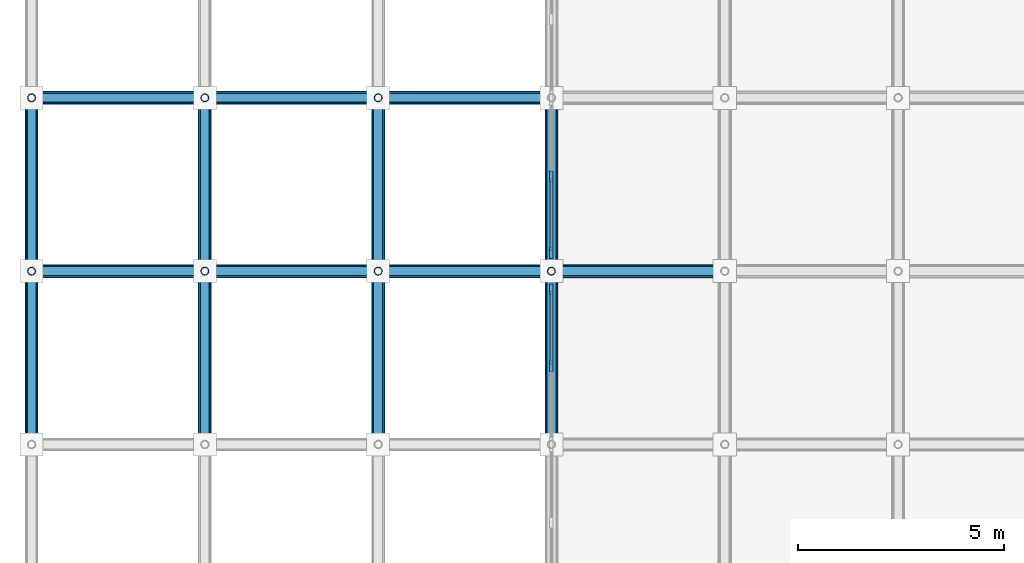
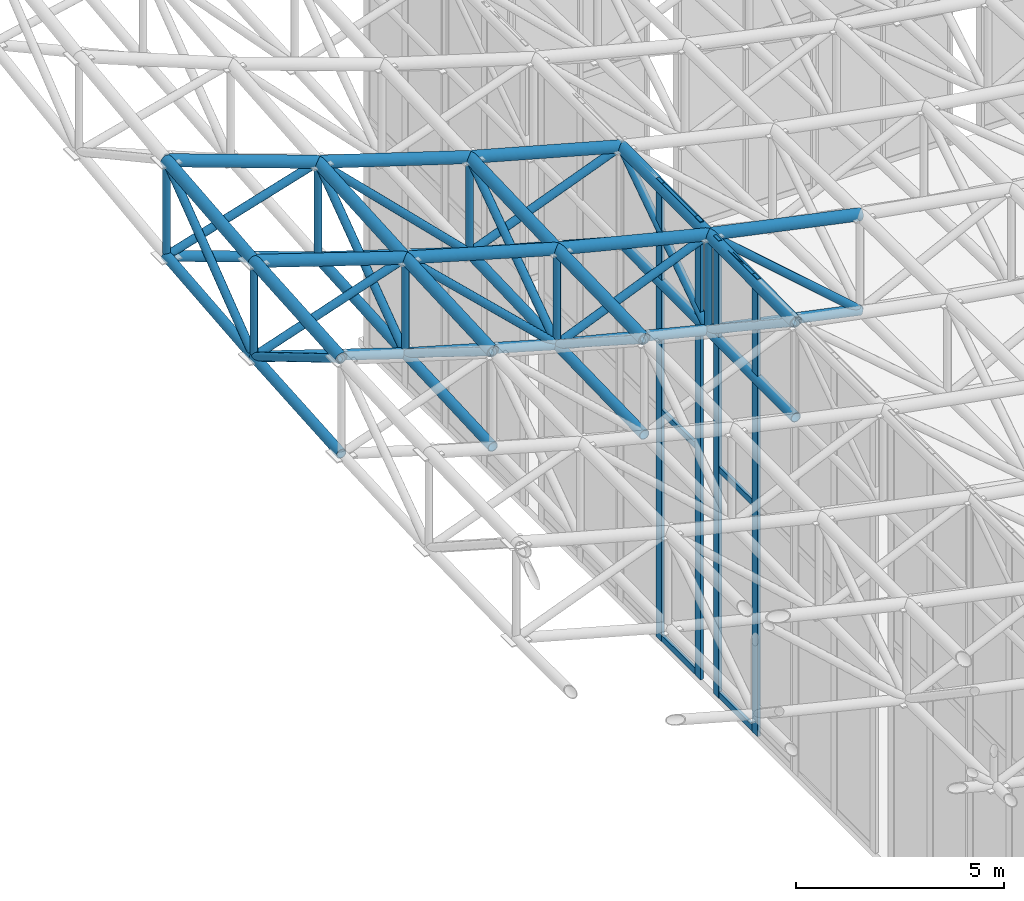
# One storey, part 26 of 93: 62 members, 2 elements without a shape of their own.
"""IFC4 building model written with IfcOpenShell, lengths in metres."""

from ifc_helpers import new_model, si_unit, direction, frame, origin, origin_2d, place, context, subcontext, project, spatial, rectangle, hollow_circle, extrude, material, material_profile, profile_set, type_object, element, aggregate, save


model = new_model("IFC4")

# Units and contexts
model_context = context("Model", 3, precision=1e-05, world=origin(), true_north=direction((0.0, 1.0)))
body_context = subcontext(model_context, "Body", "Model", "MODEL_VIEW")
ifc_project = project(units=[si_unit("LENGTHUNIT", "METRE"), si_unit("AREAUNIT", "SQUARE_METRE"), si_unit("VOLUMEUNIT", "CUBIC_METRE"), si_unit("PLANEANGLEUNIT", "RADIAN"), si_unit("MASSUNIT", "GRAM", prefix="KILO")], contexts=[model_context])

# Site, building, storey
site_placement = place(None, origin())
site = spatial("IfcSite", under=ifc_project, at=site_placement, CompositionType="ELEMENT")
building_placement = place(site_placement, origin())
building = spatial("IfcBuilding", under=site, at=building_placement, Name="Cumbredor Promenade Congress Hotel", CompositionType="ELEMENT")
storey_placement = place(building_placement, frame((0.0, 0.0, 21.840087890625)))
storey = spatial("IfcBuildingStorey", under=building, at=storey_placement, Name="L06", CompositionType="ELEMENT", Elevation=21.840087890625)

# Curtain wall, members
ifc_material_1 = material(Name="Thermally broken anodized aluminium and low-E glass", Category="aluminium")
curtain_wall_type = type_object("IfcCurtainWallType", Name="Stepped Pavilion Clerestory Curtain Wall CW-06", PredefinedType="NOTDEFINED", material=ifc_material_1)
curtain_wall_1_placement = place(storey_placement, origin())
curtain_wall_1 = element("IfcCurtainWall", 1, at=curtain_wall_1_placement, inside=storey, type_object=curtain_wall_type, Name="Plenary Congress Hall W Glazed Clerestory 10", PredefinedType="NOTDEFINED")
ifc_material_2 = material(Name="Thermally broken anodized aluminium", Category="aluminium")
ifc_material_profile_1 = material_profile(ifc_material_2, rectangle(XDim=0.0849609375, YDim=0.260009765625, at=origin_2d()), Name="ALU MULLION CLERESTORY 85x260")
ifc_profile_set_1 = profile_set([ifc_material_profile_1], Name="Thermally broken anodized aluminium")
member_type_1 = type_object("IfcMemberType", Name="Curtain Wall Mullion ML-04", PredefinedType="MULLION", material=ifc_profile_set_1)
member_1_placement = place(storey_placement, frame((8.39990234375, 48.10009765625, -0.01806640625), z_axis=(0.0, 0.0, 1.0), x_axis=(1.0, 0.0, 0.0)))
member_1 = element("IfcMember", 2, at=member_1_placement, type_object=member_type_1, Name="Plenary Congress Hall W Glazed Clerestory 10 Mullion 2", PredefinedType="MULLION", context=body_context, shape_type="SweptSolid", body=[
    extrude(rectangle(XDim=0.0849609375, YDim=0.260009765625, at=origin_2d()), origin(), (0.0, 0.0, 1.0), 13.40966796875),
])
member_2_placement = place(storey_placement, frame((8.39990234375, 49.9599609375, -0.01806640625), z_axis=(0.0, 0.0, 1.0), x_axis=(1.0, 0.0, 0.0)))
member_2 = element("IfcMember", 3, at=member_2_placement, type_object=member_type_1, Name="Plenary Congress Hall W Glazed Clerestory 10 Mullion 3", PredefinedType="MULLION", context=body_context, shape_type="SweptSolid", body=[
    extrude(rectangle(XDim=0.0849609375, YDim=0.260009765625, at=origin_2d()), origin(), (0.0, 0.0, 1.0), 13.40966796875),
])

curtain_wall_2_placement = place(storey_placement, origin())
curtain_wall_2 = element("IfcCurtainWall", 4, at=curtain_wall_2_placement, inside=storey, type_object=curtain_wall_type, Name="Plenary Congress Hall W Glazed Clerestory 11", PredefinedType="NOTDEFINED")
member_3_placement = place(storey_placement, frame((8.39990234375, 50.840087890625, -0.01806640625), z_axis=(0.0, 0.0, 1.0), x_axis=(1.0, 0.0, 0.0)))
member_3 = element("IfcMember", 5, at=member_3_placement, type_object=member_type_1, Name="Plenary Congress Hall W Glazed Clerestory 11 Mullion 1", PredefinedType="MULLION", context=body_context, shape_type="SweptSolid", body=[
    extrude(rectangle(XDim=0.0849609375, YDim=0.260009765625, at=origin_2d()), origin(), (0.0, 0.0, 1.0), 13.433837890625),
])
member_4_placement = place(storey_placement, frame((8.39990234375, 52.699951171875, -0.01806640625), z_axis=(0.0, 0.0, 1.0), x_axis=(1.0, 0.0, 0.0)))
member_4 = element("IfcMember", 6, at=member_4_placement, type_object=member_type_1, Name="Plenary Congress Hall W Glazed Clerestory 11 Mullion 2", PredefinedType="MULLION", context=body_context, shape_type="SweptSolid", body=[
    extrude(rectangle(XDim=0.0849609375, YDim=0.260009765625, at=origin_2d()), origin(), (0.0, 0.0, 1.0), 13.433837890625),
])

# Member
ifc_material_profile_2 = material_profile(ifc_material_2, rectangle(XDim=0.080078125, YDim=0.179931640625, at=origin_2d()), Name="ALU TRANSOM 80x180")
ifc_profile_set_2 = profile_set([ifc_material_profile_2], Name="Thermally broken anodized aluminium")
member_type_2 = type_object("IfcMemberType", Name="Curtain Wall Transom TR-03", PredefinedType="USERDEFINED", material=ifc_profile_set_2)
member_5_placement = place(storey_placement, frame((8.39990234375, 48.142578125, 0.079833984375), z_axis=(0.0, 1.0, 0.0), x_axis=(-1.0, 0.0, 0.0)))
member_5 = element("IfcMember", 7, at=member_5_placement, type_object=member_type_2, Name="Plenary Congress Hall W Glazed Clerestory 10 Transom 2.1", ObjectType="TRANSOM", PredefinedType="USERDEFINED", context=body_context, shape_type="SweptSolid", body=[
    extrude(rectangle(XDim=0.080078125, YDim=0.179931640625, at=origin_2d()), origin(), (0.0, 0.0, 1.0), 1.77490234375),
])

member_6_placement = place(storey_placement, frame((8.39990234375, 48.142578125, 6.68994140625), z_axis=(0.0, 1.0, 0.0), x_axis=(-1.0, 0.0, 0.0)))
member_6 = element("IfcMember", 8, at=member_6_placement, type_object=member_type_2, Name="Plenary Congress Hall W Glazed Clerestory 10 Transom 2.2", ObjectType="TRANSOM", PredefinedType="USERDEFINED", context=body_context, shape_type="SweptSolid", body=[
    extrude(rectangle(XDim=0.080078125, YDim=0.179931640625, at=origin_2d()), origin(), (0.0, 0.0, 1.0), 1.77490234375),
])

member_7_placement = place(storey_placement, frame((8.39990234375, 48.142578125, 13.289794921875), z_axis=(0.0, 1.0, 0.0), x_axis=(-1.0, 0.0, 0.0)))
member_7 = element("IfcMember", 9, at=member_7_placement, type_object=member_type_2, Name="Plenary Congress Hall W Glazed Clerestory 10 Transom 2.3", ObjectType="TRANSOM", PredefinedType="USERDEFINED", context=body_context, shape_type="SweptSolid", body=[
    extrude(rectangle(XDim=0.080078125, YDim=0.179931640625, at=origin_2d()), origin(), (0.0, 0.0, 1.0), 1.77490234375),
])

aggregate(curtain_wall_1, [member_1, member_2, member_5, member_6, member_7])

member_8_placement = place(storey_placement, frame((8.39990234375, 50.882568359375, 0.079833984375), z_axis=(0.0, 1.0, 0.0), x_axis=(-1.0, 0.0, 0.0)))
member_8 = element("IfcMember", 10, at=member_8_placement, type_object=member_type_2, Name="Plenary Congress Hall W Glazed Clerestory 11 Transom 1.1", ObjectType="TRANSOM", PredefinedType="USERDEFINED", context=body_context, shape_type="SweptSolid", body=[
    extrude(rectangle(XDim=0.080078125, YDim=0.179931640625, at=origin_2d()), origin(), (0.0, 0.0, 1.0), 1.77490234375),
])

member_9_placement = place(storey_placement, frame((8.39990234375, 50.882568359375, 6.699951171875), z_axis=(0.0, 1.0, 0.0), x_axis=(-1.0, 0.0, 0.0)))
member_9 = element("IfcMember", 11, at=member_9_placement, type_object=member_type_2, Name="Plenary Congress Hall W Glazed Clerestory 11 Transom 1.2", ObjectType="TRANSOM", PredefinedType="USERDEFINED", context=body_context, shape_type="SweptSolid", body=[
    extrude(rectangle(XDim=0.080078125, YDim=0.179931640625, at=origin_2d()), origin(), (0.0, 0.0, 1.0), 1.77490234375),
])

member_10_placement = place(storey_placement, frame((8.39990234375, 50.882568359375, 13.31982421875), z_axis=(0.0, 1.0, 0.0), x_axis=(-1.0, 0.0, 0.0)))
member_10 = element("IfcMember", 12, at=member_10_placement, type_object=member_type_2, Name="Plenary Congress Hall W Glazed Clerestory 11 Transom 1.3", ObjectType="TRANSOM", PredefinedType="USERDEFINED", context=body_context, shape_type="SweptSolid", body=[
    extrude(rectangle(XDim=0.080078125, YDim=0.179931640625, at=origin_2d()), origin(), (0.0, 0.0, 1.0), 1.77490234375),
])

aggregate(curtain_wall_2, [member_3, member_4, member_8, member_9, member_10])

# Members
ifc_material_3 = material(Name="Steel ASTM A500 Grade C", Category="steel")
ifc_material_profile_3 = material_profile(ifc_material_3, hollow_circle(Radius=0.136474609375, WallThickness=0.01611328125, at=origin_2d()), Name="CHS 273.0x16")
ifc_profile_set_3 = profile_set([ifc_material_profile_3], Name="Steel ASTM A500 Grade C")
member_type_3 = type_object("IfcMemberType", Name="Plenary Roof Space Frame Bottom Chord", PredefinedType="CHORD", material=ifc_profile_set_3)
member_11_placement = place(storey_placement, frame((-4.199951171875, 50.39990234375, 14.05322265625), z_axis=(0.95046362493, 0.0, -0.310835805025), x_axis=(0.0, 1.0, 0.0)))
element("IfcMember", 13, at=member_11_placement, inside=storey, type_object=member_type_3, Name="Plenary Congress Hall X Bottom Chord 1.13", PredefinedType="CHORD", context=body_context, shape_type="SweptSolid", body=[
    extrude(hollow_circle(Radius=0.136474609375, WallThickness=0.01611328125, at=origin_2d()), origin(), (0.0, 0.0, 1.0), 4.4189453125),
])
member_12_placement = place(storey_placement, frame((0.0, 50.39990234375, 12.6796875), z_axis=(0.961141413471, 0.0, -0.276056485727), x_axis=(0.0, 1.0, 0.0)))
element("IfcMember", 14, at=member_12_placement, inside=storey, type_object=member_type_3, Name="Plenary Congress Hall X Bottom Chord 2.13", PredefinedType="CHORD", context=body_context, shape_type="SweptSolid", body=[
    extrude(hollow_circle(Radius=0.136474609375, WallThickness=0.01611328125, at=origin_2d()), origin(), (0.0, 0.0, 1.0), 4.369873046875),
])
member_13_placement = place(storey_placement, frame((4.199951171875, 50.39990234375, 11.473388671875), z_axis=(0.970390849303, 0.0, -0.241540057938), x_axis=(0.0, 1.0, 0.0)))
element("IfcMember", 15, at=member_13_placement, inside=storey, type_object=member_type_3, Name="Plenary Congress Hall X Bottom Chord 3.13", PredefinedType="CHORD", context=body_context, shape_type="SweptSolid", body=[
    extrude(hollow_circle(Radius=0.136474609375, WallThickness=0.01611328125, at=origin_2d()), origin(), (0.0, 0.0, 1.0), 4.328125),
])
member_14_placement = place(storey_placement, frame((8.39990234375, 50.39990234375, 10.427978515625), z_axis=(0.97851416559, 0.0, -0.20617960069), x_axis=(0.0, 1.0, 0.0)))
element("IfcMember", 16, at=member_14_placement, inside=storey, type_object=member_type_3, Name="Plenary Congress Hall X Bottom Chord 4.13", PredefinedType="CHORD", context=body_context, shape_type="SweptSolid", body=[
    extrude(hollow_circle(Radius=0.136474609375, WallThickness=0.01611328125, at=origin_2d()), origin(), (0.0, 0.0, 1.0), 4.29248046875),
])
member_15_placement = place(storey_placement, frame((-4.199951171875, 54.60009765625, 14.45947265625), z_axis=(0.94060968374, 0.0, -0.339489945146), x_axis=(0.0, 1.0, 0.0)))
element("IfcMember", 17, at=member_15_placement, inside=storey, type_object=member_type_3, Name="Plenary Congress Hall X Bottom Chord 1.14", PredefinedType="CHORD", context=body_context, shape_type="SweptSolid", body=[
    extrude(hollow_circle(Radius=0.136474609375, WallThickness=0.01611328125, at=origin_2d()), origin(), (0.0, 0.0, 1.0), 4.465087890625),
])
member_16_placement = place(storey_placement, frame((0.0, 54.60009765625, 12.943603515625), z_axis=(0.953320159964, 0.0, -0.301961376018), x_axis=(0.0, 1.0, 0.0)))
element("IfcMember", 18, at=member_16_placement, inside=storey, type_object=member_type_3, Name="Plenary Congress Hall X Bottom Chord 2.14", PredefinedType="CHORD", context=body_context, shape_type="SweptSolid", body=[
    extrude(hollow_circle(Radius=0.136474609375, WallThickness=0.01611328125, at=origin_2d()), origin(), (0.0, 0.0, 1.0), 4.405517578125),
])
member_17_placement = place(storey_placement, frame((4.199951171875, 54.60009765625, 11.61328125), z_axis=(0.964303137338, 0.0, -0.264800791768), x_axis=(0.0, 1.0, 0.0)))
element("IfcMember", 19, at=member_17_placement, inside=storey, type_object=member_type_3, Name="Plenary Congress Hall X Bottom Chord 3.14", PredefinedType="CHORD", context=body_context, shape_type="SweptSolid", body=[
    extrude(hollow_circle(Radius=0.136474609375, WallThickness=0.01611328125, at=origin_2d()), origin(), (0.0, 0.0, 1.0), 4.35546875),
])
member_18_placement = place(storey_placement, frame((-4.199951171875, 46.199951171875, 13.748291015625), z_axis=(0.0, 0.997374731853, 0.072413011689), x_axis=(-1.0, 0.0, 0.0)))
element("IfcMember", 20, at=member_18_placement, inside=storey, type_object=member_type_3, Name="Plenary Congress Hall Y Bottom Chord 1.12", PredefinedType="CHORD", context=body_context, shape_type="SweptSolid", body=[
    extrude(hollow_circle(Radius=0.136474609375, WallThickness=0.01611328125, at=origin_2d()), origin(), (0.0, 0.0, 1.0), 4.2109375),
])
member_19_placement = place(storey_placement, frame((-4.199951171875, 50.39990234375, 14.05322265625), z_axis=(0.0, 0.995355022421, 0.096272422536), x_axis=(-1.0, 0.0, 0.0)))
element("IfcMember", 21, at=member_19_placement, inside=storey, type_object=member_type_3, Name="Plenary Congress Hall Y Bottom Chord 1.13", PredefinedType="CHORD", context=body_context, shape_type="SweptSolid", body=[
    extrude(hollow_circle(Radius=0.136474609375, WallThickness=0.01611328125, at=origin_2d()), origin(), (0.0, 0.0, 1.0), 4.2197265625),
])
member_20_placement = place(storey_placement, frame((0.0, 46.199951171875, 12.481689453125), z_axis=(0.0, 0.998890620414, 0.047090640769), x_axis=(-1.0, 0.0, 0.0)))
element("IfcMember", 22, at=member_20_placement, inside=storey, type_object=member_type_3, Name="Plenary Congress Hall Y Bottom Chord 2.12", PredefinedType="CHORD", context=body_context, shape_type="SweptSolid", body=[
    extrude(hollow_circle(Radius=0.136474609375, WallThickness=0.01611328125, at=origin_2d()), origin(), (0.0, 0.0, 1.0), 4.20458984375),
])
member_21_placement = place(storey_placement, frame((0.0, 50.39990234375, 12.6796875), z_axis=(0.0, 0.998031756371, 0.062710551537), x_axis=(-1.0, 0.0, 0.0)))
element("IfcMember", 23, at=member_21_placement, inside=storey, type_object=member_type_3, Name="Plenary Congress Hall Y Bottom Chord 2.13", PredefinedType="CHORD", context=body_context, shape_type="SweptSolid", body=[
    extrude(hollow_circle(Radius=0.136474609375, WallThickness=0.01611328125, at=origin_2d()), origin(), (0.0, 0.0, 1.0), 4.20849609375),
])
member_22_placement = place(storey_placement, frame((4.199951171875, 46.199951171875, 11.36865234375), z_axis=(0.0, 0.999689205225, 0.024929760451), x_axis=(-1.0, 0.0, 0.0)))
element("IfcMember", 24, at=member_22_placement, inside=storey, type_object=member_type_3, Name="Plenary Congress Hall Y Bottom Chord 3.12", PredefinedType="CHORD", context=body_context, shape_type="SweptSolid", body=[
    extrude(hollow_circle(Radius=0.136474609375, WallThickness=0.01611328125, at=origin_2d()), origin(), (0.0, 0.0, 1.0), 4.201171875),
])
member_23_placement = place(storey_placement, frame((4.199951171875, 50.39990234375, 11.473388671875), z_axis=(0.0, 0.999445809291, 0.033287749868), x_axis=(-1.0, 0.0, 0.0)))
element("IfcMember", 25, at=member_23_placement, inside=storey, type_object=member_type_3, Name="Plenary Congress Hall Y Bottom Chord 3.13", PredefinedType="CHORD", context=body_context, shape_type="SweptSolid", body=[
    extrude(hollow_circle(Radius=0.136474609375, WallThickness=0.01611328125, at=origin_2d()), origin(), (0.0, 0.0, 1.0), 4.20263671875),
])
member_24_placement = place(storey_placement, frame((8.39990234375, 46.199951171875, 10.40380859375), z_axis=(0.0, 0.999983441491, 0.005754714916), x_axis=(-1.0, 0.0, 0.0)))
element("IfcMember", 26, at=member_24_placement, inside=storey, type_object=member_type_3, Name="Plenary Congress Hall Y Bottom Chord 4.12", PredefinedType="CHORD", context=body_context, shape_type="SweptSolid", body=[
    extrude(hollow_circle(Radius=0.136474609375, WallThickness=0.01611328125, at=origin_2d()), origin(), (0.0, 0.0, 1.0), 4.199951171875),
])
member_25_placement = place(storey_placement, frame((8.39990234375, 50.39990234375, 10.427978515625), z_axis=(0.0, 0.999971010893, 0.007614287516), x_axis=(-1.0, 0.0, 0.0)))
element("IfcMember", 27, at=member_25_placement, inside=storey, type_object=member_type_3, Name="Plenary Congress Hall Y Bottom Chord 4.13", PredefinedType="CHORD", context=body_context, shape_type="SweptSolid", body=[
    extrude(hollow_circle(Radius=0.136474609375, WallThickness=0.01611328125, at=origin_2d()), origin(), (0.0, 0.0, 1.0), 4.2001953125),
])
ifc_material_profile_4 = material_profile(ifc_material_3, hollow_circle(Radius=0.161865234375, WallThickness=0.01611328125, at=origin_2d()), Name="CHS 323.9x16")
ifc_profile_set_4 = profile_set([ifc_material_profile_4], Name="Steel ASTM A500 Grade C")
member_type_4 = type_object("IfcMemberType", Name="Plenary Roof Space Frame Top Chord", PredefinedType="CHORD", material=ifc_profile_set_4)
member_26_placement = place(storey_placement, frame((-4.199951171875, 50.39990234375, 16.85302734375), z_axis=(0.95046362493, 0.0, -0.310835805025), x_axis=(0.0, 1.0, 0.0)))
element("IfcMember", 28, at=member_26_placement, inside=storey, type_object=member_type_4, Name="Plenary Congress Hall X Top Chord 1.13", PredefinedType="CHORD", context=body_context, shape_type="SweptSolid", body=[
    extrude(hollow_circle(Radius=0.161865234375, WallThickness=0.01611328125, at=origin_2d()), origin(), (0.0, 0.0, 1.0), 4.4189453125),
])
member_27_placement = place(storey_placement, frame((0.0, 50.39990234375, 15.4794921875), z_axis=(0.961156236414, 0.0, -0.276004871702), x_axis=(0.0, 1.0, 0.0)))
element("IfcMember", 29, at=member_27_placement, inside=storey, type_object=member_type_4, Name="Plenary Congress Hall X Top Chord 2.13", PredefinedType="CHORD", context=body_context, shape_type="SweptSolid", body=[
    extrude(hollow_circle(Radius=0.161865234375, WallThickness=0.01611328125, at=origin_2d()), origin(), (0.0, 0.0, 1.0), 4.36962890625),
])
member_28_placement = place(storey_placement, frame((4.199951171875, 50.39990234375, 14.2734375), z_axis=(0.970390849303, 0.0, -0.241540057938), x_axis=(0.0, 1.0, 0.0)))
element("IfcMember", 30, at=member_28_placement, inside=storey, type_object=member_type_4, Name="Plenary Congress Hall X Top Chord 3.13", PredefinedType="CHORD", context=body_context, shape_type="SweptSolid", body=[
    extrude(hollow_circle(Radius=0.161865234375, WallThickness=0.01611328125, at=origin_2d()), origin(), (0.0, 0.0, 1.0), 4.328125),
])
member_29_placement = place(storey_placement, frame((8.39990234375, 50.39990234375, 13.22802734375), z_axis=(0.97851416559, 0.0, -0.20617960069), x_axis=(0.0, 1.0, 0.0)))
element("IfcMember", 31, at=member_29_placement, inside=storey, type_object=member_type_4, Name="Plenary Congress Hall X Top Chord 4.13", PredefinedType="CHORD", context=body_context, shape_type="SweptSolid", body=[
    extrude(hollow_circle(Radius=0.161865234375, WallThickness=0.01611328125, at=origin_2d()), origin(), (0.0, 0.0, 1.0), 4.29248046875),
])
member_30_placement = place(storey_placement, frame((-4.199951171875, 54.60009765625, 17.259521484375), z_axis=(0.94060968374, 0.0, -0.339489945146), x_axis=(0.0, 1.0, 0.0)))
element("IfcMember", 32, at=member_30_placement, inside=storey, type_object=member_type_4, Name="Plenary Congress Hall X Top Chord 1.14", PredefinedType="CHORD", context=body_context, shape_type="SweptSolid", body=[
    extrude(hollow_circle(Radius=0.161865234375, WallThickness=0.01611328125, at=origin_2d()), origin(), (0.0, 0.0, 1.0), 4.465087890625),
])
member_31_placement = place(storey_placement, frame((0.0, 54.60009765625, 15.74365234375), z_axis=(0.953320159964, 0.0, -0.301961376018), x_axis=(0.0, 1.0, 0.0)))
element("IfcMember", 33, at=member_31_placement, inside=storey, type_object=member_type_4, Name="Plenary Congress Hall X Top Chord 2.14", PredefinedType="CHORD", context=body_context, shape_type="SweptSolid", body=[
    extrude(hollow_circle(Radius=0.161865234375, WallThickness=0.01611328125, at=origin_2d()), origin(), (0.0, 0.0, 1.0), 4.405517578125),
])
member_32_placement = place(storey_placement, frame((4.199951171875, 54.60009765625, 14.413330078125), z_axis=(0.964303137338, 0.0, -0.264800791768), x_axis=(0.0, 1.0, 0.0)))
element("IfcMember", 34, at=member_32_placement, inside=storey, type_object=member_type_4, Name="Plenary Congress Hall X Top Chord 3.14", PredefinedType="CHORD", context=body_context, shape_type="SweptSolid", body=[
    extrude(hollow_circle(Radius=0.161865234375, WallThickness=0.01611328125, at=origin_2d()), origin(), (0.0, 0.0, 1.0), 4.35546875),
])
member_33_placement = place(storey_placement, frame((-4.199951171875, 46.199951171875, 16.54833984375), z_axis=(0.0, 0.997378917455, 0.072355338545), x_axis=(-1.0, 0.0, 0.0)))
element("IfcMember", 35, at=member_33_placement, inside=storey, type_object=member_type_4, Name="Plenary Congress Hall Y Top Chord 1.12", PredefinedType="CHORD", context=body_context, shape_type="SweptSolid", body=[
    extrude(hollow_circle(Radius=0.161865234375, WallThickness=0.01611328125, at=origin_2d()), origin(), (0.0, 0.0, 1.0), 4.2109375),
])
member_34_placement = place(storey_placement, frame((-4.199951171875, 50.39990234375, 16.85302734375), z_axis=(0.0, 0.995349476734, 0.096329741849), x_axis=(-1.0, 0.0, 0.0)))
element("IfcMember", 36, at=member_34_placement, inside=storey, type_object=member_type_4, Name="Plenary Congress Hall Y Top Chord 1.13", PredefinedType="CHORD", context=body_context, shape_type="SweptSolid", body=[
    extrude(hollow_circle(Radius=0.161865234375, WallThickness=0.01611328125, at=origin_2d()), origin(), (0.0, 0.0, 1.0), 4.2197265625),
])
member_35_placement = place(storey_placement, frame((0.0, 46.199951171875, 15.281494140625), z_axis=(0.0, 0.998890620414, 0.047090640769), x_axis=(-1.0, 0.0, 0.0)))
element("IfcMember", 37, at=member_35_placement, inside=storey, type_object=member_type_4, Name="Plenary Congress Hall Y Top Chord 2.12", PredefinedType="CHORD", context=body_context, shape_type="SweptSolid", body=[
    extrude(hollow_circle(Radius=0.161865234375, WallThickness=0.01611328125, at=origin_2d()), origin(), (0.0, 0.0, 1.0), 4.20458984375),
])
member_36_placement = place(storey_placement, frame((0.0, 50.39990234375, 15.4794921875), z_axis=(0.0, 0.998028123932, 0.062768334695), x_axis=(-1.0, 0.0, 0.0)))
element("IfcMember", 38, at=member_36_placement, inside=storey, type_object=member_type_4, Name="Plenary Congress Hall Y Top Chord 2.13", PredefinedType="CHORD", context=body_context, shape_type="SweptSolid", body=[
    extrude(hollow_circle(Radius=0.161865234375, WallThickness=0.01611328125, at=origin_2d()), origin(), (0.0, 0.0, 1.0), 4.20849609375),
])
member_37_placement = place(storey_placement, frame((4.199951171875, 46.199951171875, 14.168701171875), z_axis=(0.0, 0.999689205225, 0.024929760451), x_axis=(-1.0, 0.0, 0.0)))
element("IfcMember", 39, at=member_37_placement, inside=storey, type_object=member_type_4, Name="Plenary Congress Hall Y Top Chord 3.12", PredefinedType="CHORD", context=body_context, shape_type="SweptSolid", body=[
    extrude(hollow_circle(Radius=0.161865234375, WallThickness=0.01611328125, at=origin_2d()), origin(), (0.0, 0.0, 1.0), 4.201171875),
])
member_38_placement = place(storey_placement, frame((4.199951171875, 50.39990234375, 14.2734375), z_axis=(0.0, 0.999445809291, 0.033287749868), x_axis=(-1.0, 0.0, 0.0)))
element("IfcMember", 40, at=member_38_placement, inside=storey, type_object=member_type_4, Name="Plenary Congress Hall Y Top Chord 3.13", PredefinedType="CHORD", context=body_context, shape_type="SweptSolid", body=[
    extrude(hollow_circle(Radius=0.161865234375, WallThickness=0.01611328125, at=origin_2d()), origin(), (0.0, 0.0, 1.0), 4.20263671875),
])
member_39_placement = place(storey_placement, frame((8.39990234375, 46.199951171875, 13.20361328125), z_axis=(0.0, 0.999983105295, 0.005812841396), x_axis=(-1.0, 0.0, 0.0)))
element("IfcMember", 41, at=member_39_placement, inside=storey, type_object=member_type_4, Name="Plenary Congress Hall Y Top Chord 4.12", PredefinedType="CHORD", context=body_context, shape_type="SweptSolid", body=[
    extrude(hollow_circle(Radius=0.161865234375, WallThickness=0.01611328125, at=origin_2d()), origin(), (0.0, 0.0, 1.0), 4.199951171875),
])
member_40_placement = place(storey_placement, frame((8.39990234375, 50.39990234375, 13.22802734375), z_axis=(0.0, 0.999971010893, 0.007614287516), x_axis=(-1.0, 0.0, 0.0)))
element("IfcMember", 42, at=member_40_placement, inside=storey, type_object=member_type_4, Name="Plenary Congress Hall Y Top Chord 4.13", PredefinedType="CHORD", context=body_context, shape_type="SweptSolid", body=[
    extrude(hollow_circle(Radius=0.161865234375, WallThickness=0.01611328125, at=origin_2d()), origin(), (0.0, 0.0, 1.0), 4.2001953125),
])
ifc_material_profile_5 = material_profile(ifc_material_3, hollow_circle(Radius=0.109619140625, WallThickness=0.012451171875, at=origin_2d()), Name="CHS 219.1x12.5")
ifc_profile_set_5 = profile_set([ifc_material_profile_5], Name="Steel ASTM A500 Grade C")
member_type_5 = type_object("IfcMemberType", Name="Space Frame Web Diagonal D1", PredefinedType="BRACE", material=ifc_profile_set_5)
member_41_placement = place(storey_placement, frame((-4.199951171875, 50.39990234375, 14.05322265625), z_axis=(0.946890442895, 0.0, 0.321556354554), x_axis=(0.0, 1.0, 0.0)))
element("IfcMember", 43, at=member_41_placement, inside=storey, type_object=member_type_5, Name="Plenary Congress Hall X Web Diagonal 1.13", PredefinedType="BRACE", context=body_context, shape_type="SweptSolid", body=[
    extrude(hollow_circle(Radius=0.109619140625, WallThickness=0.012451171875, at=origin_2d()), origin(), (0.0, 0.0, 1.0), 4.435546875),
])
member_42_placement = place(storey_placement, frame((0.0, 50.39990234375, 15.4794921875), z_axis=(0.723608555233, 0.0, -0.690210590177), x_axis=(0.0, 1.0, 0.0)))
element("IfcMember", 44, at=member_42_placement, inside=storey, type_object=member_type_5, Name="Plenary Congress Hall X Web Diagonal 2.13", PredefinedType="BRACE", context=body_context, shape_type="SweptSolid", body=[
    extrude(hollow_circle(Radius=0.109619140625, WallThickness=0.012451171875, at=origin_2d()), origin(), (0.0, 0.0, 1.0), 5.80419921875),
])
member_43_placement = place(storey_placement, frame((4.199951171875, 50.39990234375, 11.473388671875), z_axis=(0.922713114101, 0.0, 0.385487365637), x_axis=(0.0, 1.0, 0.0)))
element("IfcMember", 45, at=member_43_placement, inside=storey, type_object=member_type_5, Name="Plenary Congress Hall X Web Diagonal 3.13", PredefinedType="BRACE", context=body_context, shape_type="SweptSolid", body=[
    extrude(hollow_circle(Radius=0.109619140625, WallThickness=0.012451171875, at=origin_2d()), origin(), (0.0, 0.0, 1.0), 4.5517578125),
])
member_44_placement = place(storey_placement, frame((8.39990234375, 50.39990234375, 13.22802734375), z_axis=(0.751699068556, 0.0, -0.659506262542), x_axis=(0.0, 1.0, 0.0)))
element("IfcMember", 46, at=member_44_placement, inside=storey, type_object=member_type_5, Name="Plenary Congress Hall X Web Diagonal 4.13", PredefinedType="BRACE", context=body_context, shape_type="SweptSolid", body=[
    extrude(hollow_circle(Radius=0.109619140625, WallThickness=0.012451171875, at=origin_2d()), origin(), (0.0, 0.0, 1.0), 5.587646484375),
])
member_45_placement = place(storey_placement, frame((-4.199951171875, 54.60009765625, 14.45947265625), z_axis=(0.95629674988, 0.0, 0.292397890157), x_axis=(0.0, 1.0, 0.0)))
element("IfcMember", 47, at=member_45_placement, inside=storey, type_object=member_type_5, Name="Plenary Congress Hall X Web Diagonal 1.14", PredefinedType="BRACE", context=body_context, shape_type="SweptSolid", body=[
    extrude(hollow_circle(Radius=0.109619140625, WallThickness=0.012451171875, at=origin_2d()), origin(), (0.0, 0.0, 1.0), 4.391845703125),
])
member_46_placement = place(storey_placement, frame((0.0, 54.60009765625, 15.74365234375), z_axis=(0.712988109804, 0.0, -0.701176122866), x_axis=(0.0, 1.0, 0.0)))
element("IfcMember", 48, at=member_46_placement, inside=storey, type_object=member_type_5, Name="Plenary Congress Hall X Web Diagonal 2.14", PredefinedType="BRACE", context=body_context, shape_type="SweptSolid", body=[
    extrude(hollow_circle(Radius=0.109619140625, WallThickness=0.012451171875, at=origin_2d()), origin(), (0.0, 0.0, 1.0), 5.890625),
])
member_47_placement = place(storey_placement, frame((4.199951171875, 54.60009765625, 11.61328125), z_axis=(0.930996640005, 0.0, 0.365027747302), x_axis=(0.0, 1.0, 0.0)))
element("IfcMember", 49, at=member_47_placement, inside=storey, type_object=member_type_5, Name="Plenary Congress Hall X Web Diagonal 3.14", PredefinedType="BRACE", context=body_context, shape_type="SweptSolid", body=[
    extrude(hollow_circle(Radius=0.109619140625, WallThickness=0.012451171875, at=origin_2d()), origin(), (0.0, 0.0, 1.0), 4.51123046875),
])
member_48_placement = place(storey_placement, frame((-4.199951171875, 46.199951171875, 16.54833984375), z_axis=(0.0, 0.859729255812, -0.510750043271), x_axis=(-1.0, 0.0, 0.0)))
element("IfcMember", 50, at=member_48_placement, inside=storey, type_object=member_type_5, Name="Plenary Congress Hall Y Web Diagonal 1.12", PredefinedType="BRACE", context=body_context, shape_type="SweptSolid", body=[
    extrude(hollow_circle(Radius=0.109619140625, WallThickness=0.012451171875, at=origin_2d()), origin(), (0.0, 0.0, 1.0), 4.88525390625),
])
member_49_placement = place(storey_placement, frame((-4.199951171875, 50.39990234375, 14.05322265625), z_axis=(0.0, 0.794870318628, 0.606779347509), x_axis=(-1.0, 0.0, 0.0)))
element("IfcMember", 51, at=member_49_placement, inside=storey, type_object=member_type_5, Name="Plenary Congress Hall Y Web Diagonal 1.13", PredefinedType="BRACE", context=body_context, shape_type="SweptSolid", body=[
    extrude(hollow_circle(Radius=0.109619140625, WallThickness=0.012451171875, at=origin_2d()), origin(), (0.0, 0.0, 1.0), 5.2841796875),
])
member_50_placement = place(storey_placement, frame((0.0, 46.199951171875, 15.281494140625), z_axis=(0.0, 0.850098710926, -0.526623377454), x_axis=(-1.0, 0.0, 0.0)))
element("IfcMember", 52, at=member_50_placement, inside=storey, type_object=member_type_5, Name="Plenary Congress Hall Y Web Diagonal 2.12", PredefinedType="BRACE", context=body_context, shape_type="SweptSolid", body=[
    extrude(hollow_circle(Radius=0.109619140625, WallThickness=0.012451171875, at=origin_2d()), origin(), (0.0, 0.0, 1.0), 4.9404296875),
])
member_51_placement = place(storey_placement, frame((0.0, 50.39990234375, 12.6796875), z_axis=(0.0, 0.807886422501, 0.589338212183), x_axis=(-1.0, 0.0, 0.0)))
element("IfcMember", 53, at=member_51_placement, inside=storey, type_object=member_type_5, Name="Plenary Congress Hall Y Web Diagonal 2.13", PredefinedType="BRACE", context=body_context, shape_type="SweptSolid", body=[
    extrude(hollow_circle(Radius=0.109619140625, WallThickness=0.012451171875, at=origin_2d()), origin(), (0.0, 0.0, 1.0), 5.198974609375),
])
member_52_placement = place(storey_placement, frame((4.199951171875, 46.199951171875, 14.168701171875), z_axis=(0.0, 0.841602617793, -0.540097244692), x_axis=(-1.0, 0.0, 0.0)))
element("IfcMember", 54, at=member_52_placement, inside=storey, type_object=member_type_5, Name="Plenary Congress Hall Y Web Diagonal 3.12", PredefinedType="BRACE", context=body_context, shape_type="SweptSolid", body=[
    extrude(hollow_circle(Radius=0.109619140625, WallThickness=0.012451171875, at=origin_2d()), origin(), (0.0, 0.0, 1.0), 4.990478515625),
])
member_53_placement = place(storey_placement, frame((4.199951171875, 50.39990234375, 11.473388671875), z_axis=(0.0, 0.819249817468, 0.573436776444), x_axis=(-1.0, 0.0, 0.0)))
element("IfcMember", 55, at=member_53_placement, inside=storey, type_object=member_type_5, Name="Plenary Congress Hall Y Web Diagonal 3.13", PredefinedType="BRACE", context=body_context, shape_type="SweptSolid", body=[
    extrude(hollow_circle(Radius=0.109619140625, WallThickness=0.012451171875, at=origin_2d()), origin(), (0.0, 0.0, 1.0), 5.126953125),
])
member_54_placement = place(storey_placement, frame((8.39990234375, 46.199951171875, 13.20361328125), z_axis=(0.0, 0.834274375476, -0.551349495715), x_axis=(-1.0, 0.0, 0.0)))
element("IfcMember", 56, at=member_54_placement, inside=storey, type_object=member_type_5, Name="Plenary Congress Hall Y Web Diagonal 4.12", PredefinedType="BRACE", context=body_context, shape_type="SweptSolid", body=[
    extrude(hollow_circle(Radius=0.109619140625, WallThickness=0.012451171875, at=origin_2d()), origin(), (0.0, 0.0, 1.0), 5.0341796875),
])
member_55_placement = place(storey_placement, frame((8.39990234375, 50.39990234375, 10.427978515625), z_axis=(0.0, 0.829132393588, 0.559052299792), x_axis=(-1.0, 0.0, 0.0)))
element("IfcMember", 57, at=member_55_placement, inside=storey, type_object=member_type_5, Name="Plenary Congress Hall Y Web Diagonal 4.13", PredefinedType="BRACE", context=body_context, shape_type="SweptSolid", body=[
    extrude(hollow_circle(Radius=0.109619140625, WallThickness=0.012451171875, at=origin_2d()), origin(), (0.0, 0.0, 1.0), 5.065673828125),
])
ifc_material_profile_6 = material_profile(ifc_material_3, hollow_circle(Radius=0.096923828125, WallThickness=0.010009765625, at=origin_2d()), Name="CHS 193.7x10")
ifc_profile_set_6 = profile_set([ifc_material_profile_6], Name="Steel ASTM A500 Grade C")
member_type_6 = type_object("IfcMemberType", Name="Space Frame Web Post P1", PredefinedType="BRACE", material=ifc_profile_set_6)
member_56_placement = place(storey_placement, frame((-4.199951171875, 50.39990234375, 14.05322265625), z_axis=(0.0, 0.0, 1.0), x_axis=(1.0, 0.0, 0.0)))
element("IfcMember", 58, at=member_56_placement, inside=storey, type_object=member_type_6, Name="Plenary Congress Hall Space Frame Web Post 1.13", PredefinedType="BRACE", context=body_context, shape_type="SweptSolid", body=[
    extrude(hollow_circle(Radius=0.096923828125, WallThickness=0.010009765625, at=origin_2d()), origin(), (0.0, 0.0, 1.0), 2.7998046875),
])
member_57_placement = place(storey_placement, frame((-4.199951171875, 54.60009765625, 14.45947265625), z_axis=(0.0, 0.0, 1.0), x_axis=(1.0, 0.0, 0.0)))
element("IfcMember", 59, at=member_57_placement, inside=storey, type_object=member_type_6, Name="Plenary Congress Hall Space Frame Web Post 1.14", PredefinedType="BRACE", context=body_context, shape_type="SweptSolid", body=[
    extrude(hollow_circle(Radius=0.096923828125, WallThickness=0.010009765625, at=origin_2d()), origin(), (0.0, 0.0, 1.0), 2.800048828125),
])
member_58_placement = place(storey_placement, frame((0.0, 50.39990234375, 12.6796875), z_axis=(0.0, 0.0, 1.0), x_axis=(1.0, 0.0, 0.0)))
element("IfcMember", 60, at=member_58_placement, inside=storey, type_object=member_type_6, Name="Plenary Congress Hall Space Frame Web Post 2.13", PredefinedType="BRACE", context=body_context, shape_type="SweptSolid", body=[
    extrude(hollow_circle(Radius=0.096923828125, WallThickness=0.010009765625, at=origin_2d()), origin(), (0.0, 0.0, 1.0), 2.7998046875),
])
for number, where, z_axis, x_axis, name in (
    (61, (0.0, 54.60009765625, 12.943603515625), (0.0, 0.0, 1.0), (1.0, 0.0, 0.0), "Plenary Congress Hall Space Frame Web Post 2.14"),
    (62, (4.199951171875, 50.39990234375, 11.473388671875), (0.0, 0.0, 1.0), (1.0, 0.0, 0.0), "Plenary Congress Hall Space Frame Web Post 3.13"),
    (63, (4.199951171875, 54.60009765625, 11.61328125), (0.0, 0.0, 1.0), (1.0, 0.0, 0.0), "Plenary Congress Hall Space Frame Web Post 3.14"),
    (64, (8.39990234375, 50.39990234375, 10.427978515625), (0.0, 0.0, 1.0), (1.0, 0.0, 0.0), "Plenary Congress Hall Space Frame Web Post 4.13"),
):
    element("IfcMember", number, at=place(storey_placement, frame(where, z_axis=z_axis, x_axis=x_axis)), inside=storey, type_object=member_type_6, Name=name, PredefinedType="BRACE", context=body_context, shape_type="SweptSolid", body=[
        extrude(hollow_circle(Radius=0.096923828125, WallThickness=0.010009765625, at=origin_2d()), origin(), (0.0, 0.0, 1.0), 2.800048828125),
    ])

save(model, "model.ifc")
